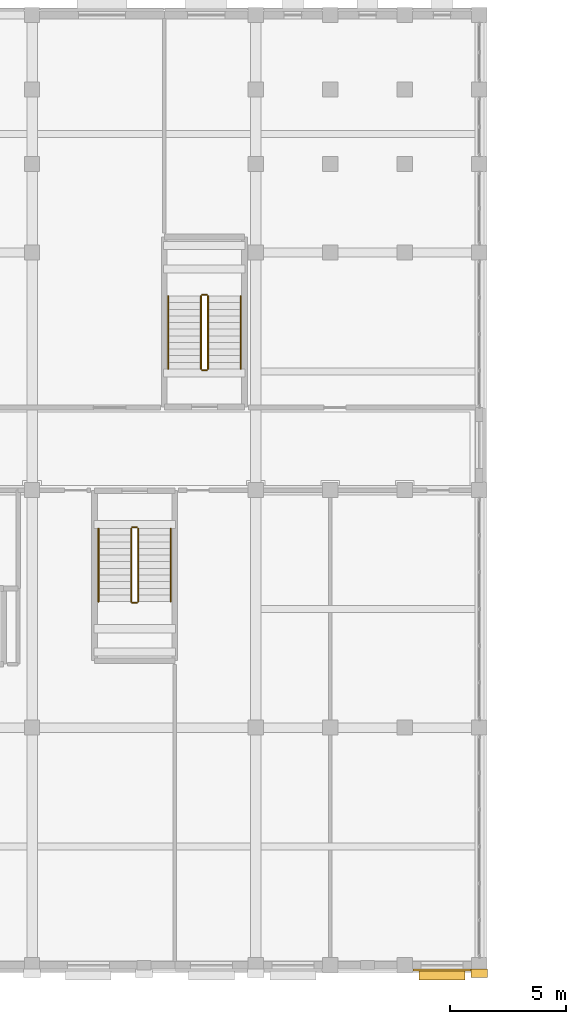
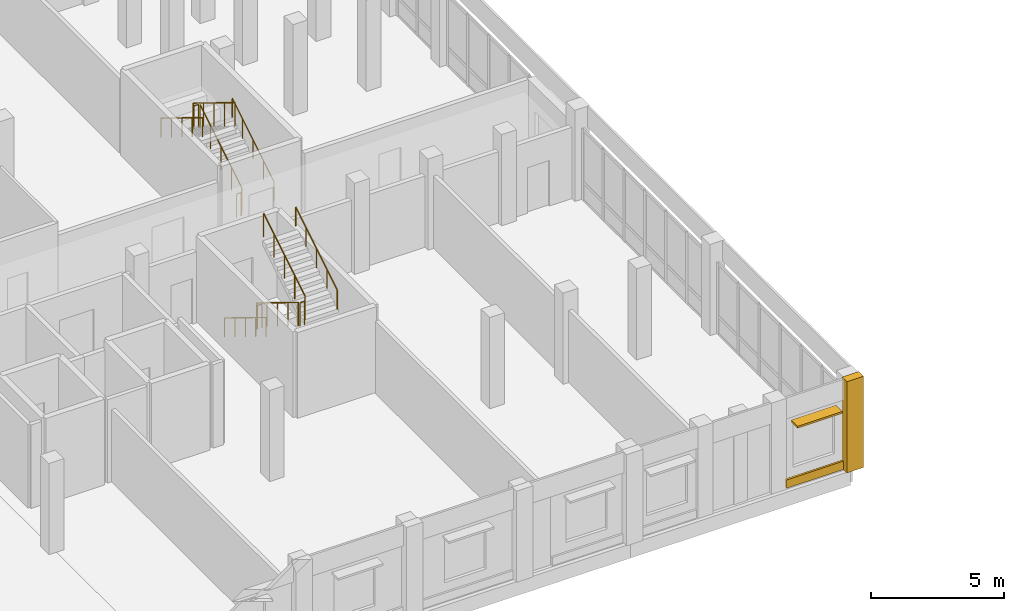
# One storey, part 191 of 200: 12 railings, 2 coverings, 1 shading device.
"""IFC4 building model written with IfcOpenShell, lengths in metres."""

import ifcopenshell
import ifcopenshell.guid

model = None  # the IFC model being written
_history = None  # IfcOwnerHistory: only IFC2X3 demands one
_inside = {}  # id of a spatial element -> (the spatial element, [elements in it])
_under = {}  # id of a project, library or spatial element -> (it, [spatial elements below it])
_declared = {}  # id of a project -> (the project, [libraries it declares])
_typed = {}  # id of a type object -> (the type object, [elements of that type])
_made_of = {}  # id of a material, layer set ... -> (it, [elements and type objects made of it])


def new_model(schema):
    """Start an empty IFC model of exactly this schema.

    Asked for "IFC4X3", IfcOpenShell would pick the latest addendum, in which some entities
    have other attributes; the version numbers below select the first issue.
    IFC2X3 requires an IfcOwnerHistory on every rooted entity: one is made here for all.
    """
    global model, _history
    if schema == "IFC4X3":
        model = ifcopenshell.file(schema_version=(4, 3, 0, 0))
    else:
        model = ifcopenshell.file(schema=schema)
    _inside.clear()
    _under.clear()
    _declared.clear()
    _typed.clear()
    _made_of.clear()
    _history = None
    if model.schema == "IFC2X3":
        org = make("IfcOrganization", Name="unknown")
        user = make(
            "IfcPersonAndOrganization",
            ThePerson=make("IfcPerson", FamilyName="unknown"),
            TheOrganization=org,
        )
        app = make(
            "IfcApplication",
            ApplicationDeveloper=org,
            Version="unknown",
            ApplicationFullName="unknown",
            ApplicationIdentifier="unknown",
        )
        _history = make(
            "IfcOwnerHistory",
            OwningUser=user,
            OwningApplication=app,
            ChangeAction="ADDED",
            CreationDate=0,
        )
    return model


def make(cls, **values):
    """One entity of the class cls with the attributes given. An attribute that is None is left unset."""
    return model.create_entity(
        cls, **{name: value for name, value in values.items() if value is not None}
    )


def rooted(cls, **values):
    """An entity with a GlobalId (a new one), such as an element, a storey or a relation."""
    return make(cls, GlobalId=ifcopenshell.guid.new(), OwnerHistory=_history, **values)


def si_unit(unit_type, name, prefix=None):
    """IfcSIUnit, for example si_unit("LENGTHUNIT", "METRE", prefix="MILLI")."""
    return make("IfcSIUnit", UnitType=unit_type, Prefix=prefix, Name=name)


def assignment(units):
    """IfcUnitAssignment: the units of a project."""
    return None if units is None else make("IfcUnitAssignment", Units=units)


def point(xyz):
    """IfcCartesianPoint."""
    return None if xyz is None else make("IfcCartesianPoint", Coordinates=xyz)


def direction(xyz):
    """IfcDirection."""
    return None if xyz is None else make("IfcDirection", DirectionRatios=xyz)


def frame(location, z_axis=None, x_axis=None):
    """IfcAxis2Placement3D, a coordinate frame: its origin and axes. An axis left out is left unset."""
    return make(
        "IfcAxis2Placement3D",
        Location=point(location),
        Axis=direction(z_axis),
        RefDirection=direction(x_axis),
    )


def frame_2d(location, x_axis=None):
    """IfcAxis2Placement2D, a coordinate frame in the plane: its origin and x axis."""
    return make(
        "IfcAxis2Placement2D", Location=point(location), RefDirection=direction(x_axis)
    )


def origin():
    """The frame at (0, 0, 0) with its axes left unset."""
    return frame((0.0, 0.0, 0.0))


def origin_2d():
    """The frame at (0, 0) in the plane with its x axis left unset."""
    return frame_2d((0.0, 0.0))


def place(relative_to, where):
    """IfcLocalPlacement: puts the frame where relative to a parent placement (None: the world)."""
    return make(
        "IfcLocalPlacement", PlacementRelTo=relative_to, RelativePlacement=where
    )


def context(
    kind, dimensions, precision=None, world=None, true_north=None, identifier=None
):
    """IfcGeometricRepresentationContext, for example the 3D "Model" context."""
    return make(
        "IfcGeometricRepresentationContext",
        ContextIdentifier=identifier,
        ContextType=kind,
        CoordinateSpaceDimension=dimensions,
        Precision=precision,
        WorldCoordinateSystem=world,
        TrueNorth=true_north,
    )


def subcontext(parent, identifier, kind, view, scale=None):
    """IfcGeometricRepresentationSubContext, for example "Body" below "Model"."""
    return make(
        "IfcGeometricRepresentationSubContext",
        ContextIdentifier=identifier,
        ContextType=kind,
        ParentContext=parent,
        TargetScale=scale,
        TargetView=view,
    )


def project(units=None, contexts=None):
    """IfcProject with its units and contexts."""
    return rooted(
        "IfcProject",
        Name="project",
        RepresentationContexts=contexts,
        UnitsInContext=assignment(units),
    )


def spatial(cls, under=None, at=None, **own):
    """A site, building, storey or space (cls), placed at a placement, below another one or the project."""
    s = rooted(cls, ObjectPlacement=at, **own)
    if under is not None:
        _under.setdefault(under.id(), (under, []))[1].append(s)
    return s


def profile(cls, at=None, kind="AREA", **sizes):
    """A parametric profile (cls). Its sizes go by their IFC names, for example OverallWidth=200.0."""
    return make(cls, ProfileType=kind, Position=at, **sizes)


def rectangle(**sizes):
    """IfcRectangleProfileDef."""
    return profile("IfcRectangleProfileDef", **sizes)


def circle(**sizes):
    """IfcCircleProfileDef."""
    return profile("IfcCircleProfileDef", **sizes)


def extrude(swept, where, along, depth):
    """IfcExtrudedAreaSolid: the profile swept, set in the frame where, extruded along a direction by depth."""
    return make(
        "IfcExtrudedAreaSolid",
        SweptArea=swept,
        Position=where,
        ExtrudedDirection=direction(along),
        Depth=depth,
    )


def shape(context_of_items, identifier, shape_type, items):
    """IfcShapeRepresentation: the items that make up one representation, for example the "Body"."""
    return make(
        "IfcShapeRepresentation",
        ContextOfItems=context_of_items,
        RepresentationIdentifier=identifier,
        RepresentationType=shape_type,
        Items=items,
    )


def material(Name=None, Category=None):
    """IfcMaterial."""
    return make("IfcMaterial", Name=Name, Category=Category)


def layer(
    of_material, thickness, ventilated=None, Name=None, Category=None, Priority=None
):
    """IfcMaterialLayer: one layer of a wall or slab, of a material (None: an air gap)."""
    return make(
        "IfcMaterialLayer",
        Material=of_material,
        LayerThickness=thickness,
        IsVentilated=ventilated,
        Name=Name,
        Category=Category,
        Priority=Priority,
    )


def layer_set(layers, Name=None):
    """IfcMaterialLayerSet."""
    return make("IfcMaterialLayerSet", MaterialLayers=layers, LayerSetName=Name)


def made_of(thing, what):
    """Note that an element or type object is made of a material, layer set ...; save() writes the relation."""
    if what is not None:
        _made_of.setdefault(what.id(), (what, []))[1].append(thing)
    return thing


def type_object(cls, material=None, **own):
    """A type object (cls), such as IfcWallType, which elements share."""
    return made_of(rooted(cls, **own), material)


def element(
    cls,
    number,
    at=None,
    inside=None,
    cuts=None,
    type_object=None,
    material=None,
    context=None,
    identifier="Body",
    shape_type=None,
    held_by="IfcProductDefinitionShape",
    body=None,
    shapes=None,
    **own,
):
    """One element of the class cls, such as IfcWall. Its Tag is "e" and its number.

    at: its placement. inside: the storey or other place that contains it. cuts: it is an
    opening in that element (IfcRelVoidsElement). A single representation is given by context,
    identifier, shape_type and body (its items); several are given by shapes. held_by: the class
    of the entity that holds the representations. save() writes the other relations.
    """
    e = rooted(cls, Tag="e%d" % number, ObjectPlacement=at, **own)
    if body is not None:
        shapes = [shape(context, identifier, shape_type, body)]
    if shapes is not None:
        e.Representation = make(held_by, Representations=shapes)
    if inside is not None:
        _inside.setdefault(inside.id(), (inside, []))[1].append(e)
    if cuts is not None:
        rooted(
            "IfcRelVoidsElement", RelatingBuildingElement=cuts, RelatedOpeningElement=e
        )
    if type_object is not None:
        _typed.setdefault(type_object.id(), (type_object, []))[1].append(e)
    return made_of(e, material)


def aggregate(whole, parts):
    """IfcRelAggregates: a whole, such as a stair, and the parts it consists of."""
    return rooted("IfcRelAggregates", RelatingObject=whole, RelatedObjects=parts)


def save(model, path):
    """Write the relations noted so far, then the file.

    IfcRelAggregates (storeys below a building ...), IfcRelContainedInSpatialStructure (elements
    in a storey), IfcRelDefinesByType, IfcRelAssociatesMaterial and IfcRelDeclares: one each for
    every whole, place, type object, material and project.
    """
    for whole, parts in _under.values():
        aggregate(whole, parts)
    for where, things in _inside.values():
        rooted(
            "IfcRelContainedInSpatialStructure",
            RelatedElements=things,
            RelatingStructure=where,
        )
    for kind, things in _typed.values():
        rooted("IfcRelDefinesByType", RelatedObjects=things, RelatingType=kind)
    for what, things in _made_of.values():
        rooted("IfcRelAssociatesMaterial", RelatedObjects=things, RelatingMaterial=what)
    for by, libraries in _declared.values():
        rooted("IfcRelDeclares", RelatingContext=by, RelatedDefinitions=libraries)
    model.write(path)


model = new_model("IFC4")

# Units and contexts
model_context = context("Model", 3, precision=1e-05, world=origin(), true_north=direction((0.0, 1.0)))
body_context = subcontext(model_context, "Body", "Model", "MODEL_VIEW")
ifc_project = project(units=[si_unit("LENGTHUNIT", "METRE"), si_unit("AREAUNIT", "SQUARE_METRE"), si_unit("VOLUMEUNIT", "CUBIC_METRE"), si_unit("PLANEANGLEUNIT", "RADIAN"), si_unit("MASSUNIT", "GRAM", prefix="KILO")], contexts=[model_context])

# Site, building, storey
site_placement = place(None, origin())
site = spatial("IfcSite", under=ifc_project, at=site_placement, CompositionType="ELEMENT")
building_placement = place(site_placement, origin())
building = spatial("IfcBuilding", under=site, at=building_placement, Name="Vondelvale Polytechnic", CompositionType="ELEMENT")
storey_placement = place(building_placement, frame((0.0, 0.0, 13.800048828125)))
storey = spatial("IfcBuildingStorey", under=building, at=storey_placement, Name="L03", CompositionType="ELEMENT", Elevation=13.800048828125)

# Coverings
ifc_material_1 = material(Name="Amsterdam School iron-spot clinker clay brickwork", Category="masonry")
ifc_layer_1 = layer(ifc_material_1, 0.090087890625)
ifc_layer_set_1 = layer_set([ifc_layer_1], Name="COV-BRICK-RELIEF")
covering_type = type_object("IfcCoveringType", Name="COV-BRICK-RELIEF", PredefinedType="CLADDING", material=ifc_layer_set_1)
covering_1_placement = place(storey_placement, frame((46.39990234375, -0.2109375, 0.0), z_axis=(0.0, 0.0, 1.0), x_axis=(-1.0, 0.0, 0.0)))
element("IfcCovering", 1, at=covering_1_placement, inside=storey, type_object=covering_type, Name="L03 exterior corbelled masonry relief band", PredefinedType="CLADDING", context=body_context, shape_type="SweptSolid", body=[
    extrude(rectangle(XDim=2.488037109375, YDim=0.090087890625, at=origin_2d()), origin(), (0.0, 0.0, 1.0), 0.3798828125),
])
covering_2_placement = place(storey_placement, frame((48.0, -0.340087890625, 0.0), z_axis=(0.0, 0.0, 1.0), x_axis=(1.0, 0.0, 0.0)))
element("IfcCovering", 2, at=covering_2_placement, inside=storey, type_object=covering_type, Name="L03 Classical street pilaster", PredefinedType="CLADDING", context=body_context, shape_type="SweptSolid", body=[
    extrude(rectangle(XDim=0.719970703125, YDim=0.360107421875, at=origin_2d()), origin(), (0.0, 0.0, 1.0), 4.199951171875),
])

# Railings
ifc_material_2 = material(Name="Brushed architectural stainless and zinc-coated metal")
ifc_layer_2 = layer(ifc_material_2, 0.050048828125)
ifc_layer_set_2 = layer_set([ifc_layer_2], Name="RL-STAIR-GUARD")
railing_type_1 = type_object("IfcRailingType", Name="RL-STAIR-GUARD", PredefinedType="GUARDRAIL", material=ifc_layer_set_2)
railing_1_placement = place(storey_placement, frame((33.050048828125, 18.75, 0.175048828125)))
element("IfcRailing", 3, at=railing_1_placement, inside=storey, type_object=railing_type_1, Name="L03 ST-04 stair guard 1", PredefinedType="GUARDRAIL", context=body_context, shape_type="SweptSolid", body=[
    extrude(circle(Radius=0.02392578125, at=origin_2d()), frame((0.0, 0.0, 1.076171875), z_axis=(0.0, -0.852195625947, 0.523223293744), x_axis=(1.0, 0.0, 0.0)), (0.0, 0.0, 1.0), 3.6787109375),
    extrude(circle(Radius=0.02099609375, at=origin_2d()), origin(), (0.0, 0.0, 1.0), 1.052001953125),
    extrude(circle(Radius=0.02099609375, at=origin_2d()), frame((0.0, -0.78369140625, 0.481201171875)), (0.0, 0.0, 1.0), 1.052001953125),
    extrude(circle(Radius=0.02099609375, at=origin_2d()), frame((0.0, -1.5673828125, 0.96240234375)), (0.0, 0.0, 1.0), 1.052001953125),
    extrude(circle(Radius=0.02099609375, at=origin_2d()), frame((0.0, -2.351318359375, 1.443603515625)), (0.0, 0.0, 1.0), 1.052001953125),
    extrude(circle(Radius=0.02099609375, at=origin_2d()), frame((0.0, -3.135009765625, 1.9248046875)), (0.0, 0.0, 1.0), 1.052001953125),
])
railing_2_placement = place(storey_placement, frame((33.10009765625, 15.56494140625, 2.099853515625)))
element("IfcRailing", 4, at=railing_2_placement, inside=storey, type_object=railing_type_1, Name="L03 ST-04 stair guard 2", PredefinedType="GUARDRAIL", context=body_context, shape_type="SweptSolid", body=[
    extrude(circle(Radius=0.02392578125, at=origin_2d()), frame((0.0, 0.0, 1.076171875), z_axis=(1.0, 0.0, 0.0), x_axis=(0.0, 1.0, 0.0)), (0.0, 0.0, 1.0), 0.199951171875),
    extrude(circle(Radius=0.02099609375, at=origin_2d()), origin(), (0.0, 0.0, 1.0), 1.052001953125),
    extrude(circle(Radius=0.02099609375, at=origin_2d()), frame((0.199951171875, 0.0, 0.0)), (0.0, 0.0, 1.0), 1.052001953125),
])
railing_3_placement = place(storey_placement, frame((33.35009765625, 15.614990234375, 2.27490234375)))
element("IfcRailing", 5, at=railing_3_placement, inside=storey, type_object=railing_type_1, Name="L03 ST-04 stair guard 3", PredefinedType="GUARDRAIL", context=body_context, shape_type="SweptSolid", body=[
    extrude(circle(Radius=0.02392578125, at=origin_2d()), frame((0.0, 0.0, 1.076171875), z_axis=(0.0, 0.852166034122, 0.523271488128), x_axis=(-1.0, 0.0, 0.0)), (0.0, 0.0, 1.0), 3.678955078125),
    extrude(circle(Radius=0.02099609375, at=origin_2d()), origin(), (0.0, 0.0, 1.0), 1.052001953125),
    extrude(circle(Radius=0.02099609375, at=origin_2d()), frame((0.0, 0.78369140625, 0.481201171875)), (0.0, 0.0, 1.0), 1.052001953125),
    extrude(circle(Radius=0.02099609375, at=origin_2d()), frame((0.0, 1.5673828125, 0.96240234375)), (0.0, 0.0, 1.0), 1.052001953125),
    extrude(circle(Radius=0.02099609375, at=origin_2d()), frame((0.0, 2.351318359375, 1.44384765625)), (0.0, 0.0, 1.0), 1.052001953125),
    extrude(circle(Radius=0.02099609375, at=origin_2d()), frame((0.0, 3.135009765625, 1.925048828125)), (0.0, 0.0, 1.0), 1.052001953125),
])
railing_4_placement = place(storey_placement, frame((33.10009765625, 18.800048828125, 0.0)))
element("IfcRailing", 6, at=railing_4_placement, inside=storey, type_object=railing_type_1, Name="L03 ST-04 stair guard 4", PredefinedType="GUARDRAIL", context=body_context, shape_type="SweptSolid", body=[
    extrude(circle(Radius=0.02392578125, at=origin_2d()), frame((0.0, 0.0, 1.076171875), z_axis=(1.0, 0.0, 0.0), x_axis=(0.0, 1.0, 0.0)), (0.0, 0.0, 1.0), 0.199951171875),
    extrude(circle(Radius=0.02099609375, at=origin_2d()), origin(), (0.0, 0.0, 1.0), 1.052001953125),
    extrude(circle(Radius=0.02099609375, at=origin_2d()), frame((0.199951171875, 0.0, 0.0)), (0.0, 0.0, 1.0), 1.052001953125),
])
railing_5_placement = place(storey_placement, frame((36.35009765625, 25.60009765625, 0.175048828125)))
element("IfcRailing", 7, at=railing_5_placement, inside=storey, type_object=railing_type_1, Name="L03 ST-05 stair guard 1", PredefinedType="GUARDRAIL", context=body_context, shape_type="SweptSolid", body=[
    extrude(circle(Radius=0.02392578125, at=origin_2d()), frame((0.0, 0.0, 1.076171875), z_axis=(0.0, 0.852195625947, 0.523223293744), x_axis=(-1.0, 0.0, 0.0)), (0.0, 0.0, 1.0), 3.6787109375),
    extrude(circle(Radius=0.02099609375, at=origin_2d()), origin(), (0.0, 0.0, 1.0), 1.052001953125),
    extrude(circle(Radius=0.02099609375, at=origin_2d()), frame((0.0, 0.78369140625, 0.481201171875)), (0.0, 0.0, 1.0), 1.052001953125),
    extrude(circle(Radius=0.02099609375, at=origin_2d()), frame((0.0, 1.5673828125, 0.96240234375)), (0.0, 0.0, 1.0), 1.052001953125),
    extrude(circle(Radius=0.02099609375, at=origin_2d()), frame((0.0, 2.351318359375, 1.443603515625)), (0.0, 0.0, 1.0), 1.052001953125),
    extrude(circle(Radius=0.02099609375, at=origin_2d()), frame((0.0, 3.135009765625, 1.9248046875)), (0.0, 0.0, 1.0), 1.052001953125),
])
railing_6_placement = place(storey_placement, frame((36.300048828125, 28.784912109375, 2.099853515625)))
element("IfcRailing", 8, at=railing_6_placement, inside=storey, type_object=railing_type_1, Name="L03 ST-05 stair guard 2", PredefinedType="GUARDRAIL", context=body_context, shape_type="SweptSolid", body=[
    extrude(circle(Radius=0.02392578125, at=origin_2d()), frame((0.0, 0.0, 1.076171875), z_axis=(-1.0, 0.0, 0.0), x_axis=(0.0, -1.0, 0.0)), (0.0, 0.0, 1.0), 0.199951171875),
    extrude(circle(Radius=0.02099609375, at=origin_2d()), origin(), (0.0, 0.0, 1.0), 1.052001953125),
    extrude(circle(Radius=0.02099609375, at=origin_2d()), frame((-0.199951171875, 0.0, 0.0)), (0.0, 0.0, 1.0), 1.052001953125),
])
railing_7_placement = place(storey_placement, frame((36.050048828125, 28.735107421875, 2.27490234375)))
element("IfcRailing", 9, at=railing_7_placement, inside=storey, type_object=railing_type_1, Name="L03 ST-05 stair guard 3", PredefinedType="GUARDRAIL", context=body_context, shape_type="SweptSolid", body=[
    extrude(circle(Radius=0.02392578125, at=origin_2d()), frame((0.0, 0.0, 1.076171875), z_axis=(0.0, -0.852166034122, 0.523271488128), x_axis=(1.0, 0.0, 0.0)), (0.0, 0.0, 1.0), 3.678955078125),
    extrude(circle(Radius=0.02099609375, at=origin_2d()), origin(), (0.0, 0.0, 1.0), 1.052001953125),
    extrude(circle(Radius=0.02099609375, at=origin_2d()), frame((0.0, -0.78369140625, 0.481201171875)), (0.0, 0.0, 1.0), 1.052001953125),
    extrude(circle(Radius=0.02099609375, at=origin_2d()), frame((0.0, -1.5673828125, 0.96240234375)), (0.0, 0.0, 1.0), 1.052001953125),
    extrude(circle(Radius=0.02099609375, at=origin_2d()), frame((0.0, -2.351318359375, 1.44384765625)), (0.0, 0.0, 1.0), 1.052001953125),
    extrude(circle(Radius=0.02099609375, at=origin_2d()), frame((0.0, -3.135009765625, 1.925048828125)), (0.0, 0.0, 1.0), 1.052001953125),
])
railing_8_placement = place(storey_placement, frame((36.300048828125, 25.550048828125, 0.0)))
element("IfcRailing", 10, at=railing_8_placement, inside=storey, type_object=railing_type_1, Name="L03 ST-05 stair guard 4", PredefinedType="GUARDRAIL", context=body_context, shape_type="SweptSolid", body=[
    extrude(circle(Radius=0.02392578125, at=origin_2d()), frame((0.0, 0.0, 1.076171875), z_axis=(-1.0, 0.0, 0.0), x_axis=(0.0, -1.0, 0.0)), (0.0, 0.0, 1.0), 0.199951171875),
    extrude(circle(Radius=0.02099609375, at=origin_2d()), origin(), (0.0, 0.0, 1.0), 1.052001953125),
    extrude(circle(Radius=0.02099609375, at=origin_2d()), frame((-0.199951171875, 0.0, 0.0)), (0.0, 0.0, 1.0), 1.052001953125),
])
ifc_layer_3 = layer(ifc_material_2, 0.048095703125)
ifc_layer_set_3 = layer_set([ifc_layer_3], Name="RL-STAIR-HANDRAIL")
railing_type_2 = type_object("IfcRailingType", Name="RL-STAIR-HANDRAIL", PredefinedType="HANDRAIL", material=ifc_layer_set_3)
railing_9_placement = place(storey_placement, frame((31.64990234375, 18.75, 0.175048828125)))
element("IfcRailing", 11, at=railing_9_placement, inside=storey, type_object=railing_type_2, Name="L03 ST-04 stair handrail 1", PredefinedType="HANDRAIL", context=body_context, shape_type="SweptSolid", body=[
    extrude(circle(Radius=0.02392578125, at=origin_2d()), frame((0.0, 0.0, 0.8759765625), z_axis=(0.0, -0.852195625947, 0.523223293744), x_axis=(1.0, 0.0, 0.0)), (0.0, 0.0, 1.0), 3.6787109375),
    extrude(circle(Radius=0.02099609375, at=origin_2d()), origin(), (0.0, 0.0, 1.0), 0.851806640625),
    extrude(circle(Radius=0.02099609375, at=origin_2d()), frame((0.0, -0.78369140625, 0.481201171875)), (0.0, 0.0, 1.0), 0.851806640625),
    extrude(circle(Radius=0.02099609375, at=origin_2d()), frame((0.0, -1.5673828125, 0.96240234375)), (0.0, 0.0, 1.0), 0.851806640625),
    extrude(circle(Radius=0.02099609375, at=origin_2d()), frame((0.0, -2.351318359375, 1.443603515625)), (0.0, 0.0, 1.0), 0.851806640625),
    extrude(circle(Radius=0.02099609375, at=origin_2d()), frame((0.0, -3.135009765625, 1.9248046875)), (0.0, 0.0, 1.0), 0.851806640625),
])
railing_10_placement = place(storey_placement, frame((34.75, 15.614990234375, 2.27490234375)))
element("IfcRailing", 12, at=railing_10_placement, inside=storey, type_object=railing_type_2, Name="L03 ST-04 stair handrail 2", PredefinedType="HANDRAIL", context=body_context, shape_type="SweptSolid", body=[
    extrude(circle(Radius=0.02392578125, at=origin_2d()), frame((0.0, 0.0, 0.8759765625), z_axis=(0.0, 0.852166034122, 0.523271488128), x_axis=(-1.0, 0.0, 0.0)), (0.0, 0.0, 1.0), 3.678955078125),
    extrude(circle(Radius=0.02099609375, at=origin_2d()), origin(), (0.0, 0.0, 1.0), 0.851806640625),
    extrude(circle(Radius=0.02099609375, at=origin_2d()), frame((0.0, 0.78369140625, 0.481201171875)), (0.0, 0.0, 1.0), 0.851806640625),
    extrude(circle(Radius=0.02099609375, at=origin_2d()), frame((0.0, 1.5673828125, 0.96240234375)), (0.0, 0.0, 1.0), 0.851806640625),
    extrude(circle(Radius=0.02099609375, at=origin_2d()), frame((0.0, 2.351318359375, 1.44384765625)), (0.0, 0.0, 1.0), 0.851806640625),
    extrude(circle(Radius=0.02099609375, at=origin_2d()), frame((0.0, 3.135009765625, 1.925048828125)), (0.0, 0.0, 1.0), 0.851806640625),
])
railing_11_placement = place(storey_placement, frame((37.75, 25.60009765625, 0.175048828125)))
element("IfcRailing", 13, at=railing_11_placement, inside=storey, type_object=railing_type_2, Name="L03 ST-05 stair handrail 1", PredefinedType="HANDRAIL", context=body_context, shape_type="SweptSolid", body=[
    extrude(circle(Radius=0.02392578125, at=origin_2d()), frame((0.0, 0.0, 0.8759765625), z_axis=(0.0, 0.852195625947, 0.523223293744), x_axis=(-1.0, 0.0, 0.0)), (0.0, 0.0, 1.0), 3.6787109375),
    extrude(circle(Radius=0.02099609375, at=origin_2d()), origin(), (0.0, 0.0, 1.0), 0.851806640625),
    extrude(circle(Radius=0.02099609375, at=origin_2d()), frame((0.0, 0.78369140625, 0.481201171875)), (0.0, 0.0, 1.0), 0.851806640625),
    extrude(circle(Radius=0.02099609375, at=origin_2d()), frame((0.0, 1.5673828125, 0.96240234375)), (0.0, 0.0, 1.0), 0.851806640625),
    extrude(circle(Radius=0.02099609375, at=origin_2d()), frame((0.0, 2.351318359375, 1.443603515625)), (0.0, 0.0, 1.0), 0.851806640625),
    extrude(circle(Radius=0.02099609375, at=origin_2d()), frame((0.0, 3.135009765625, 1.9248046875)), (0.0, 0.0, 1.0), 0.851806640625),
])
railing_12_placement = place(storey_placement, frame((34.64990234375, 28.735107421875, 2.27490234375)))
element("IfcRailing", 14, at=railing_12_placement, inside=storey, type_object=railing_type_2, Name="L03 ST-05 stair handrail 2", PredefinedType="HANDRAIL", context=body_context, shape_type="SweptSolid", body=[
    extrude(circle(Radius=0.02392578125, at=origin_2d()), frame((0.0, 0.0, 0.8759765625), z_axis=(0.0, -0.852166034122, 0.523271488128), x_axis=(1.0, 0.0, 0.0)), (0.0, 0.0, 1.0), 3.678955078125),
    extrude(circle(Radius=0.02099609375, at=origin_2d()), origin(), (0.0, 0.0, 1.0), 0.851806640625),
    extrude(circle(Radius=0.02099609375, at=origin_2d()), frame((0.0, -0.78369140625, 0.481201171875)), (0.0, 0.0, 1.0), 0.851806640625),
    extrude(circle(Radius=0.02099609375, at=origin_2d()), frame((0.0, -1.5673828125, 0.96240234375)), (0.0, 0.0, 1.0), 0.851806640625),
    extrude(circle(Radius=0.02099609375, at=origin_2d()), frame((0.0, -2.351318359375, 1.44384765625)), (0.0, 0.0, 1.0), 0.851806640625),
    extrude(circle(Radius=0.02099609375, at=origin_2d()), frame((0.0, -3.135009765625, 1.925048828125)), (0.0, 0.0, 1.0), 0.851806640625),
])

# Shading device
ifc_material_3 = material(Name="Anodised extruded aluminium 6063-T6", Category="aluminium")
shading_device_type = type_object("IfcShadingDeviceType", Name="SHD-BRONZE-LOUVRE", PredefinedType="SHUTTER", material=ifc_material_3)
shading_device_placement = place(storey_placement, frame((46.39990234375, -0.39501953125, 2.907470703125), z_axis=(0.0, 0.0, 1.0), x_axis=(-1.0, 0.0, 0.0)))
element("IfcShadingDevice", 15, at=shading_device_placement, inside=storey, type_object=shading_device_type, Name="L03 horizontal bronze sun-louvre overhang", PredefinedType="SHUTTER", context=body_context, shape_type="SweptSolid", body=[
    extrude(rectangle(XDim=1.9599609375, YDim=0.47998046875, at=origin_2d()), origin(), (0.0, 0.0, 1.0), 0.0849609375),
])

save(model, "model.ifc")
